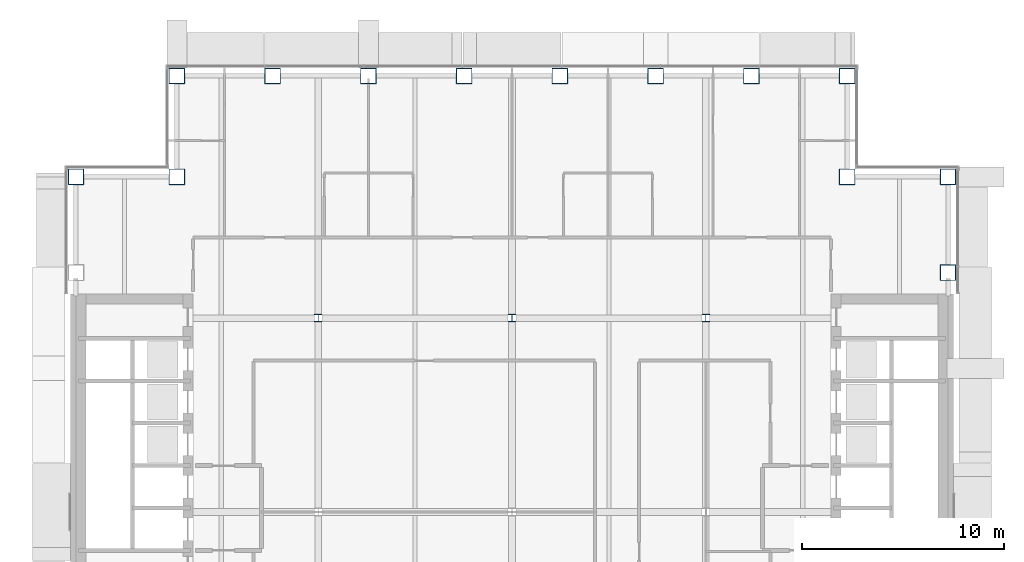
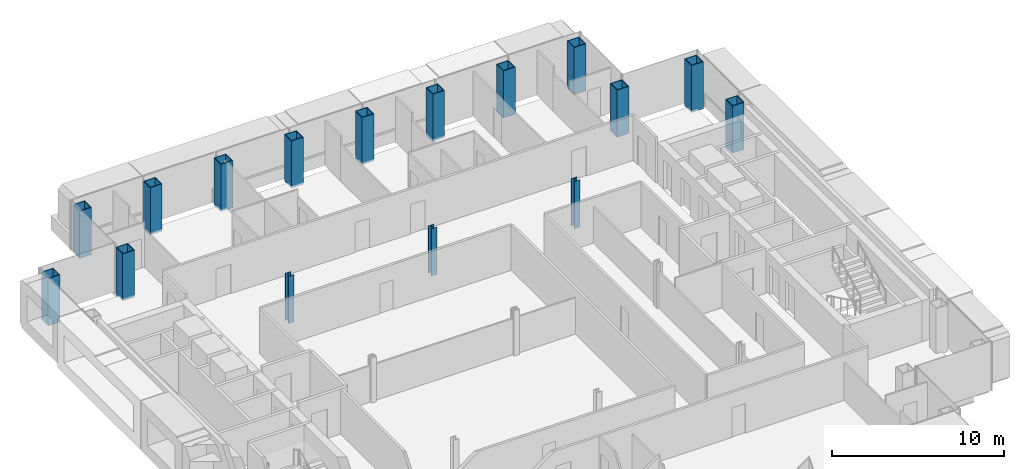
# One storey, part 2 of 21: 16 columns.
"""IFC4 building model written with IfcOpenShell, lengths in metres."""

from ifc_helpers import new_model, si_unit, direction, frame, origin, origin_2d, place, context, subcontext, project, spatial, hollow_rectangle, i_section, extrude, material, material_profile, profile_set, type_object, element, save


model = new_model("IFC4")

# Units and contexts
model_context = context("Model", 3, precision=1e-05, world=origin(), true_north=direction((0.0, 1.0)))
body_context = subcontext(model_context, "Body", "Model", "MODEL_VIEW")
ifc_project = project(units=[si_unit("LENGTHUNIT", "METRE"), si_unit("AREAUNIT", "SQUARE_METRE"), si_unit("VOLUMEUNIT", "CUBIC_METRE"), si_unit("PLANEANGLEUNIT", "RADIAN"), si_unit("MASSUNIT", "GRAM", prefix="KILO")], contexts=[model_context])

# Site, building, storey
site_placement = place(None, origin())
site = spatial("IfcSite", under=ifc_project, at=site_placement, CompositionType="ELEMENT")
building_placement = place(site_placement, origin())
building = spatial("IfcBuilding", under=site, at=building_placement, Name="Cobrizo Arcos Hotel Tower", CompositionType="ELEMENT")
storey_placement = place(building_placement, frame((0.0, 0.0, 183.0)))
storey = spatial("IfcBuildingStorey", under=building, at=storey_placement, Name="L47", CompositionType="ELEMENT", Elevation=183.0)

# Columns
ifc_material_1 = material(Name="Steel ASTM A572 Grade 50", Category="steel")
ifc_material_profile_1 = material_profile(ifc_material_1, hollow_rectangle(XDim=0.800048828125, YDim=0.800048828125, WallThickness=0.044921875, at=origin_2d()), Name="BOX 800X800X45")
ifc_profile_set_1 = profile_set([ifc_material_profile_1], Name="Steel ASTM A572 Grade 50")
column_type_1 = type_object("IfcColumnType", Name="BOX 800X800X45 column", PredefinedType="COLUMN", material=ifc_profile_set_1)
for number, where, z_axis, x_axis, name in (
    (1, (-16.60009765625, 21.60009765625, -0.14990234375), (0.0, 0.0, 1.0), (1.0, 0.0, 0.0), "Perimeter column C8, L47, no. 00"),
    (2, (-11.85693359375, 21.60009765625, -0.14990234375), (0.0, 0.0, 1.0), (1.0, 0.0, 0.0), "Perimeter column C8, L47, no. 02"),
    (3, (-7.114013671875, 21.60009765625, -0.14990234375), (0.0, 0.0, 1.0), (1.0, 0.0, 0.0), "Perimeter column C8, L47, no. 04"),
    (4, (-2.37109375, 21.60009765625, -0.14990234375), (0.0, 0.0, 1.0), (1.0, 0.0, 0.0), "Perimeter column C8, L47, no. 06"),
    (5, (2.37109375, 21.60009765625, -0.14990234375), (0.0, 0.0, 1.0), (1.0, 0.0, 0.0), "Perimeter column C8, L47, no. 08"),
    (6, (7.114013671875, 21.60009765625, -0.14990234375), (0.0, 0.0, 1.0), (1.0, 0.0, 0.0), "Perimeter column C8, L47, no. 10"),
    (7, (11.85693359375, 21.60009765625, -0.14990234375), (0.0, 0.0, 1.0), (1.0, 0.0, 0.0), "Perimeter column C8, L47, no. 12"),
    (8, (16.60009765625, 21.60009765625, -0.14990234375), (0.0, 0.0, 1.0), (1.0, 0.0, 0.0), "Perimeter column C8, L47, no. 14"),
    (9, (21.60009765625, 11.85693359375, -0.14990234375), (0.0, 0.0, 1.0), (1.0, 0.0, 0.0), "Perimeter column C8, L47, no. 20"),
    (10, (21.60009765625, 16.60009765625, -0.14990234375), (0.0, 0.0, 1.0), (1.0, 0.0, 0.0), "Perimeter column C8, L47, no. 22"),
    (11, (-21.60009765625, 16.60009765625, -0.14990234375), (0.0, 0.0, 1.0), (1.0, 0.0, 0.0), "Perimeter column C8, L47, no. 23"),
    (12, (-16.60009765625, 16.60009765625, -0.14990234375), (0.0, 0.0, 1.0), (1.0, 0.0, 0.0), "Perimeter column C8, L47, no. 25"),
    (13, (16.60009765625, 16.60009765625, -0.14990234375), (0.0, 0.0, 1.0), (1.0, 0.0, 0.0), "Perimeter column C8, L47, no. 27"),
):
    element("IfcColumn", number, at=place(storey_placement, frame(where, z_axis=z_axis, x_axis=x_axis)), inside=storey, type_object=column_type_1, Name=name, PredefinedType="COLUMN", context=body_context, shape_type="SweptSolid", body=[
        extrude(hollow_rectangle(XDim=0.800048828125, YDim=0.800048828125, WallThickness=0.044921875, at=origin_2d()), origin(), (0.0, 0.0, 1.0), 3.349853515625),
    ])
ifc_material_2 = material(Name="Steel ASTM A992 Grade 50", Category="steel")
ifc_material_profile_2 = material_profile(ifc_material_2, i_section(OverallWidth=0.373291015625, OverallDepth=0.373291015625, WebThickness=0.016357421875, FlangeThickness=0.026123046875, at=origin_2d()), Name="W14X132")
ifc_profile_set_2 = profile_set([ifc_material_profile_2], Name="Steel ASTM A992 Grade 50")
column_type_2 = type_object("IfcColumnType", Name="W14X132 interior column", PredefinedType="COLUMN", material=ifc_profile_set_2)
for number, where, z_axis, x_axis, name in (
    (14, (-9.60009765625, 9.60009765625, -0.14990234375), (0.0, 0.0, 1.0), (1.0, 0.0, 0.0), "Interior column C9, L47, no. 02"),
    (15, (0.0, 9.60009765625, -0.14990234375), (0.0, 0.0, 1.0), (1.0, 0.0, 0.0), "Interior column C9, L47, no. 05"),
    (16, (9.60009765625, 9.60009765625, -0.14990234375), (0.0, 0.0, 1.0), (1.0, 0.0, 0.0), "Interior column C9, L47, no. 08"),
):
    element("IfcColumn", number, at=place(storey_placement, frame(where, z_axis=z_axis, x_axis=x_axis)), inside=storey, type_object=column_type_2, Name=name, PredefinedType="COLUMN", context=body_context, shape_type="SweptSolid", body=[
        extrude(i_section(OverallWidth=0.373291015625, OverallDepth=0.373291015625, WebThickness=0.016357421875, FlangeThickness=0.026123046875, at=origin_2d()), origin(), (0.0, 0.0, 1.0), 3.349853515625),
    ])

save(model, "model.ifc")
